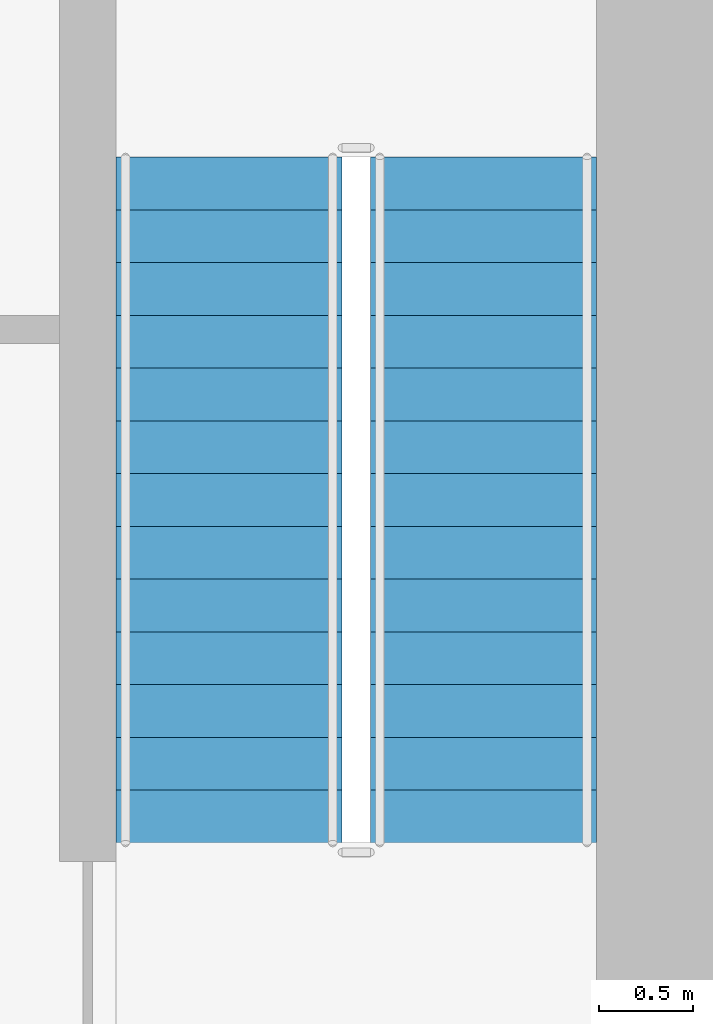
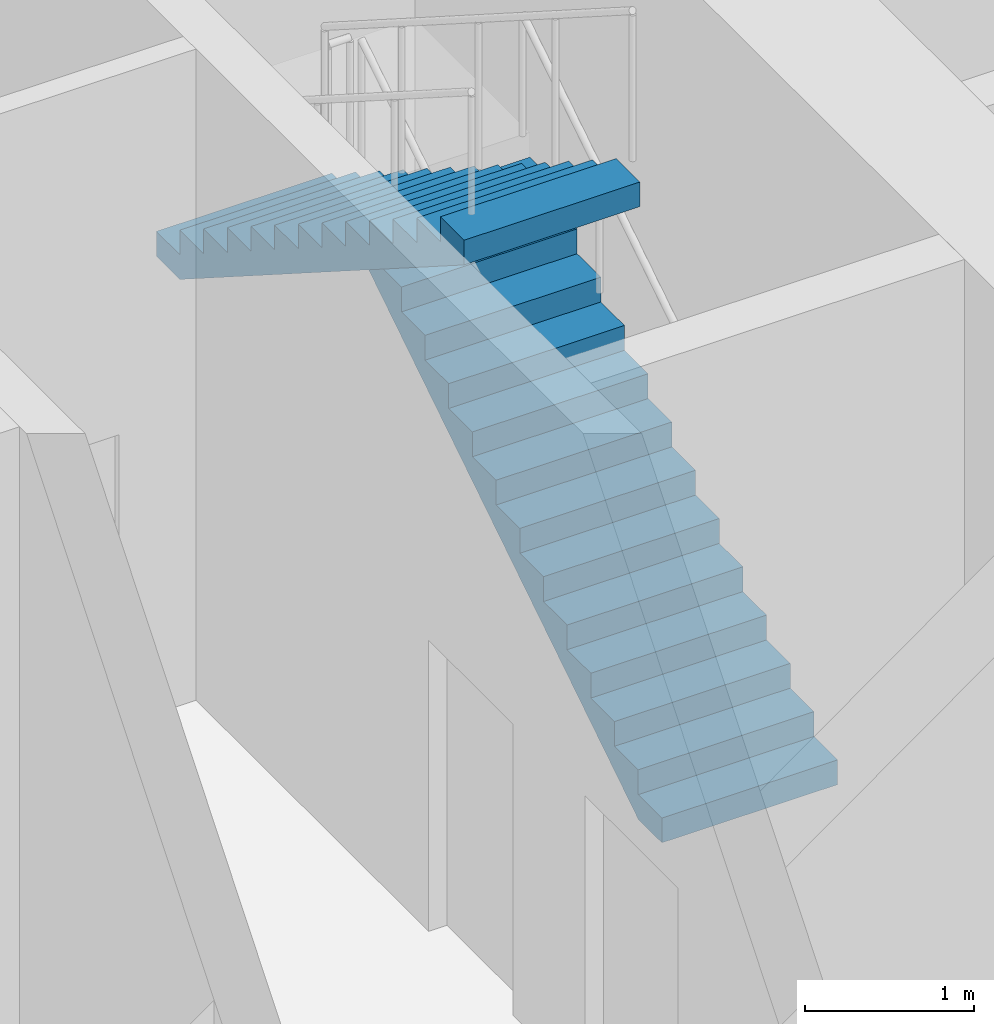
# One storey, part 27 of 31: 2 stair flights, 1 element without a shape of its own.
"""IFC4 building model written with IfcOpenShell, lengths in metres."""

from ifc_helpers import new_model, si_unit, direction, frame, origin, place, context, subcontext, project, spatial, polyline, outline, extrude, material, type_object, element, aggregate, save


model = new_model("IFC4")

# Units and contexts
model_context = context("Model", 3, precision=1e-05, world=origin(), true_north=direction((0.0, 1.0)))
body_context = subcontext(model_context, "Body", "Model", "MODEL_VIEW")
ifc_project = project(units=[si_unit("LENGTHUNIT", "METRE"), si_unit("AREAUNIT", "SQUARE_METRE"), si_unit("VOLUMEUNIT", "CUBIC_METRE"), si_unit("PLANEANGLEUNIT", "RADIAN"), si_unit("MASSUNIT", "GRAM", prefix="KILO")], contexts=[model_context])

# Site, building, storey
site_placement = place(None, origin())
site = spatial("IfcSite", under=ifc_project, at=site_placement, CompositionType="ELEMENT")
building_placement = place(site_placement, origin())
building = spatial("IfcBuilding", under=site, at=building_placement, Name="Aloe Facet Convention Tower", CompositionType="ELEMENT")
storey_placement = place(building_placement, frame((0.0, 0.0, 25.0)))
storey = spatial("IfcBuildingStorey", under=building, at=storey_placement, Name="L04", CompositionType="ELEMENT", Elevation=25.0)

# Stair, stair flights
ifc_material_1 = material(Name="Concrete C50/60", Category="concrete")
stair_type = type_object("IfcStairType", Name="CR-ST-28R", PredefinedType="HALF_TURN_STAIR", material=ifc_material_1)
stair_placement = place(storey_placement, origin())
stair = element("IfcStair", 1, at=stair_placement, inside=storey, type_object=stair_type, Name="L04 Protected exit stair ST2", PredefinedType="HALF_TURN_STAIR")
ifc_material_2 = material(Name="Concrete C50/60", Category="concrete")
stair_flight_type = type_object("IfcStairFlightType", Name="CR-SFL-28R", PredefinedType="STRAIGHT", material=ifc_material_2)
stair_flight_1_placement = place(storey_placement, frame((89.800048828125, 128.949951171875, 0.0), z_axis=(0.0, 0.0, 1.0), x_axis=(0.0, 1.0, 0.0)))
stair_flight_1 = element("IfcStairFlight", 2, at=stair_flight_1_placement, type_object=stair_flight_type, Name="ST2 flight 1", NumberOfRisers=14, NumberOfTreads=13, PredefinedType="STRAIGHT", RiserHeight=0.178571429, TreadLength=0.28, context=body_context, shape_type="SweptSolid", body=[
    extrude(outline(polyline([(0.0, 0.0), (0.0, 0.178466796875), (0.280029296875, 0.178466796875), (0.280029296875, 0.357177734375), (0.56005859375, 0.357177734375), (0.56005859375, 0.53564453125), (0.840087890625, 0.53564453125), (0.840087890625, 0.71435546875), (1.1201171875, 0.71435546875), (1.1201171875, 0.892822265625), (1.39990234375, 0.892822265625), (1.39990234375, 1.071533203125), (1.679931640625, 1.071533203125), (1.679931640625, 1.25), (1.9599609375, 1.25), (1.9599609375, 1.428466796875), (2.239990234375, 1.428466796875), (2.239990234375, 1.607177734375), (2.52001953125, 1.607177734375), (2.52001953125, 1.78564453125), (2.800048828125, 1.78564453125), (2.800048828125, 1.96435546875), (3.080078125, 1.96435546875), (3.080078125, 2.142822265625), (3.360107421875, 2.142822265625), (3.360107421875, 2.321533203125), (3.639892578125, 2.321533203125), (3.639892578125, 2.5), (3.639892578125, 2.1435546875), (0.27880859375, 0.0), (0.0, 0.0)])), frame((0.0, 0.60009765625, 0.0), z_axis=(0.0, -1.0, 0.0), x_axis=(1.0, 0.0, 0.0)), (0.0, 0.0, 1.0), 1.199951171875),
])
stair_flight_2_placement = place(storey_placement, frame((88.449951171875, 132.590087890625, 2.5), z_axis=(0.0, 0.0, 1.0), x_axis=(0.0, -1.0, 0.0)))
stair_flight_2 = element("IfcStairFlight", 3, at=stair_flight_2_placement, type_object=stair_flight_type, Name="ST2 flight 2", NumberOfRisers=14, NumberOfTreads=13, PredefinedType="STRAIGHT", RiserHeight=0.178571429, TreadLength=0.28, context=body_context, shape_type="SweptSolid", body=[
    extrude(outline(polyline([(0.0, 0.0), (0.0, 0.178466796875), (0.280029296875, 0.178466796875), (0.280029296875, 0.357177734375), (0.56005859375, 0.357177734375), (0.56005859375, 0.53564453125), (0.840087890625, 0.53564453125), (0.840087890625, 0.71435546875), (1.1201171875, 0.71435546875), (1.1201171875, 0.892822265625), (1.39990234375, 0.892822265625), (1.39990234375, 1.071533203125), (1.679931640625, 1.071533203125), (1.679931640625, 1.25), (1.9599609375, 1.25), (1.9599609375, 1.428466796875), (2.239990234375, 1.428466796875), (2.239990234375, 1.607177734375), (2.52001953125, 1.607177734375), (2.52001953125, 1.78564453125), (2.800048828125, 1.78564453125), (2.800048828125, 1.96435546875), (3.080078125, 1.96435546875), (3.080078125, 2.142822265625), (3.360107421875, 2.142822265625), (3.360107421875, 2.321533203125), (3.639892578125, 2.321533203125), (3.639892578125, 2.5), (3.639892578125, 2.1435546875), (0.27880859375, 0.0), (0.0, 0.0)])), frame((0.0, 0.60009765625, 0.0), z_axis=(0.0, -1.0, 0.0), x_axis=(1.0, 0.0, 0.0)), (0.0, 0.0, 1.0), 1.199951171875),
])
aggregate(stair, [stair_flight_1, stair_flight_2])

save(model, "model.ifc")
